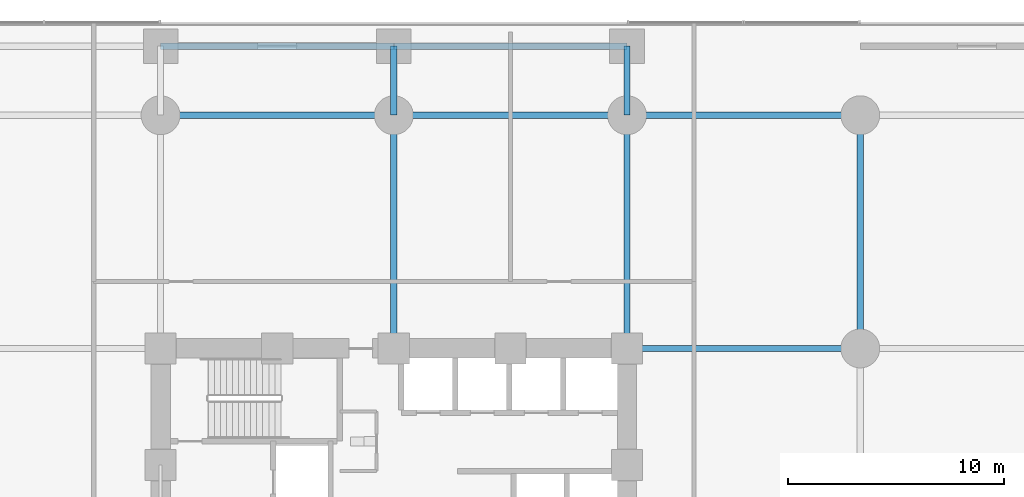
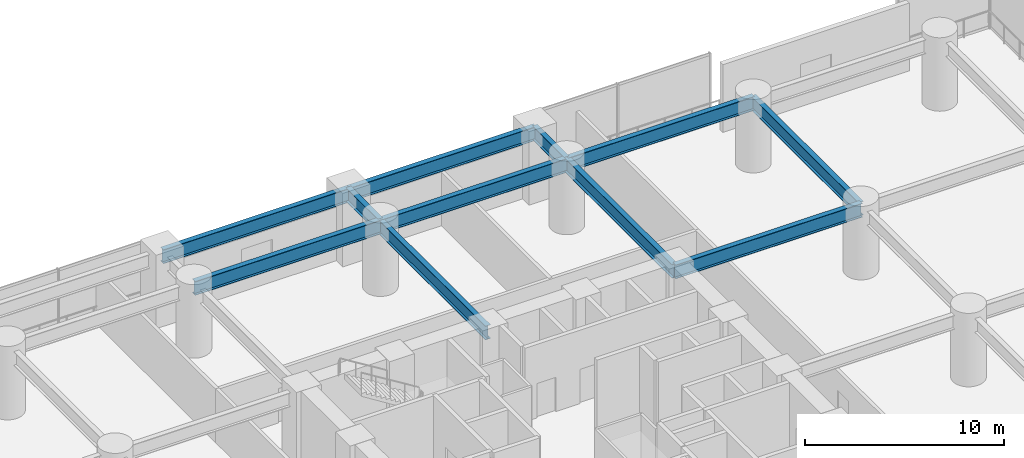
# One storey, part 16 of 35: 11 beams.
"""IFC4 building model written with IfcOpenShell, lengths in metres."""

from ifc_helpers import new_model, si_unit, direction, frame, origin, origin_2d, place, context, subcontext, project, spatial, i_section, extrude, material, material_profile, profile_set, type_object, element, save


model = new_model("IFC4")

# Units and contexts
model_context = context("Model", 3, precision=1e-05, world=origin(), true_north=direction((0.0, 1.0)))
body_context = subcontext(model_context, "Body", "Model", "MODEL_VIEW")
ifc_project = project(units=[si_unit("LENGTHUNIT", "METRE"), si_unit("AREAUNIT", "SQUARE_METRE"), si_unit("VOLUMEUNIT", "CUBIC_METRE"), si_unit("PLANEANGLEUNIT", "RADIAN"), si_unit("MASSUNIT", "GRAM", prefix="KILO")], contexts=[model_context])

# Site, building, storey
site_placement = place(None, origin())
site = spatial("IfcSite", under=ifc_project, at=site_placement, CompositionType="ELEMENT")
building_placement = place(site_placement, origin())
building = spatial("IfcBuilding", under=site, at=building_placement, Name="Surkhivell Harbour Commons", CompositionType="ELEMENT")
storey_placement = place(building_placement, frame((0.0, 0.0, 13.5)))
storey = spatial("IfcBuildingStorey", under=building, at=storey_placement, Name="L03", CompositionType="ELEMENT", Elevation=13.5)

# Beams
ifc_material = material(Name="Steel S460", Category="steel")
ifc_material_profile = material_profile(ifc_material, i_section(OverallWidth=0.2939453125, OverallDepth=0.85107421875, WebThickness=0.01611328125, FlangeThickness=0.02685546875, at=origin_2d()), Name="UB838x292x226")
ifc_profile_set = profile_set([ifc_material_profile], Name="Steel S460")
beam_type = type_object("IfcBeamType", Name="BM-SPN-838", PredefinedType="SPANDREL", material=ifc_profile_set)
for number, where, z_axis, x_axis, name in (
    (1, (-10.800048828125, 21.60009765625, 3.724609375), (1.0, 0.0, 0.0), (0.0, 1.0, 0.0), "L03 Framing Beam (-10.8,21.6)"),
    (2, (-10.800048828125, 24.800048828125, 3.724609375), (1.0, 0.0, 0.0), (0.0, 1.0, 0.0), "L03 Framing Beam (-10.8,24.8)"),
    (3, (0.0, 10.800048828125, 3.724609375), (0.0, 1.0, 0.0), (-1.0, 0.0, 0.0), "L03 Framing Beam (0.0,10.8)"),
):
    element("IfcBeam", number, at=place(storey_placement, frame(where, z_axis=z_axis, x_axis=x_axis)), inside=storey, type_object=beam_type, Name=name, PredefinedType="SPANDREL", context=body_context, shape_type="SweptSolid", body=[
        extrude(i_section(OverallWidth=0.2939453125, OverallDepth=0.85107421875, WebThickness=0.01611328125, FlangeThickness=0.02685546875, at=origin_2d()), origin(), (0.0, 0.0, 1.0), 10.800048828125),
    ])
beam_1_placement = place(storey_placement, frame((0.0, 21.60009765625, 3.724609375), z_axis=(0.0, 1.0, 0.0), x_axis=(-1.0, 0.0, 0.0)))
element("IfcBeam", 4, at=beam_1_placement, inside=storey, type_object=beam_type, Name="L03 Framing Beam (0.0,21.6)", PredefinedType="SPANDREL", context=body_context, shape_type="SweptSolid", body=[
    extrude(i_section(OverallWidth=0.2939453125, OverallDepth=0.85107421875, WebThickness=0.01611328125, FlangeThickness=0.02685546875, at=origin_2d()), origin(), (0.0, 0.0, 1.0), 3.199951171875),
])
for number, where, z_axis, x_axis, name in (
    (5, (0.0, 21.60009765625, 3.724609375), (1.0, 0.0, 0.0), (0.0, 1.0, 0.0), "L03 Framing Beam (0.0,21.6)"),
    (6, (0.0, 24.800048828125, 3.724609375), (1.0, 0.0, 0.0), (0.0, 1.0, 0.0), "L03 Framing Beam (0.0,24.8)"),
    (7, (10.800048828125, 10.800048828125, 3.724609375), (0.0, 1.0, 0.0), (-1.0, 0.0, 0.0), "L03 Framing Beam (10.8,10.8)"),
    (8, (10.800048828125, 10.800048828125, 3.724609375), (1.0, 0.0, 0.0), (0.0, 1.0, 0.0), "L03 Framing Beam (10.8,10.8)"),
):
    element("IfcBeam", number, at=place(storey_placement, frame(where, z_axis=z_axis, x_axis=x_axis)), inside=storey, type_object=beam_type, Name=name, PredefinedType="SPANDREL", context=body_context, shape_type="SweptSolid", body=[
        extrude(i_section(OverallWidth=0.2939453125, OverallDepth=0.85107421875, WebThickness=0.01611328125, FlangeThickness=0.02685546875, at=origin_2d()), origin(), (0.0, 0.0, 1.0), 10.800048828125),
    ])
beam_2_placement = place(storey_placement, frame((10.800048828125, 21.60009765625, 3.724609375), z_axis=(0.0, 1.0, 0.0), x_axis=(-1.0, 0.0, 0.0)))
element("IfcBeam", 9, at=beam_2_placement, inside=storey, type_object=beam_type, Name="L03 Framing Beam (10.8,21.6)", PredefinedType="SPANDREL", context=body_context, shape_type="SweptSolid", body=[
    extrude(i_section(OverallWidth=0.2939453125, OverallDepth=0.85107421875, WebThickness=0.01611328125, FlangeThickness=0.02685546875, at=origin_2d()), origin(), (0.0, 0.0, 1.0), 3.199951171875),
])
for number, where, z_axis, x_axis, name in (
    (10, (10.800048828125, 21.60009765625, 3.724609375), (1.0, 0.0, 0.0), (0.0, 1.0, 0.0), "L03 Framing Beam (10.8,21.6)"),
    (11, (21.60009765625, 10.800048828125, 3.724609375), (0.0, 1.0, 0.0), (-1.0, 0.0, 0.0), "L03 Framing Beam (21.6,10.8)"),
):
    element("IfcBeam", number, at=place(storey_placement, frame(where, z_axis=z_axis, x_axis=x_axis)), inside=storey, type_object=beam_type, Name=name, PredefinedType="SPANDREL", context=body_context, shape_type="SweptSolid", body=[
        extrude(i_section(OverallWidth=0.2939453125, OverallDepth=0.85107421875, WebThickness=0.01611328125, FlangeThickness=0.02685546875, at=origin_2d()), origin(), (0.0, 0.0, 1.0), 10.800048828125),
    ])

save(model, "model.ifc")
